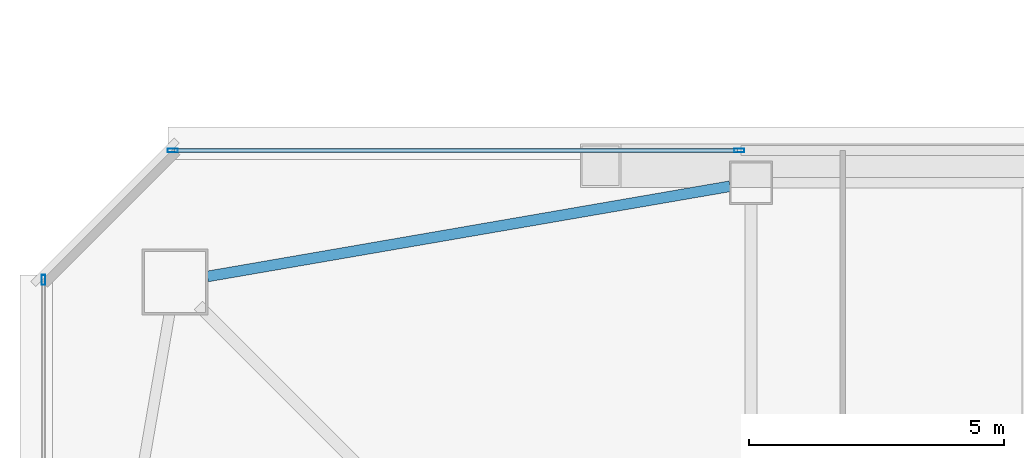
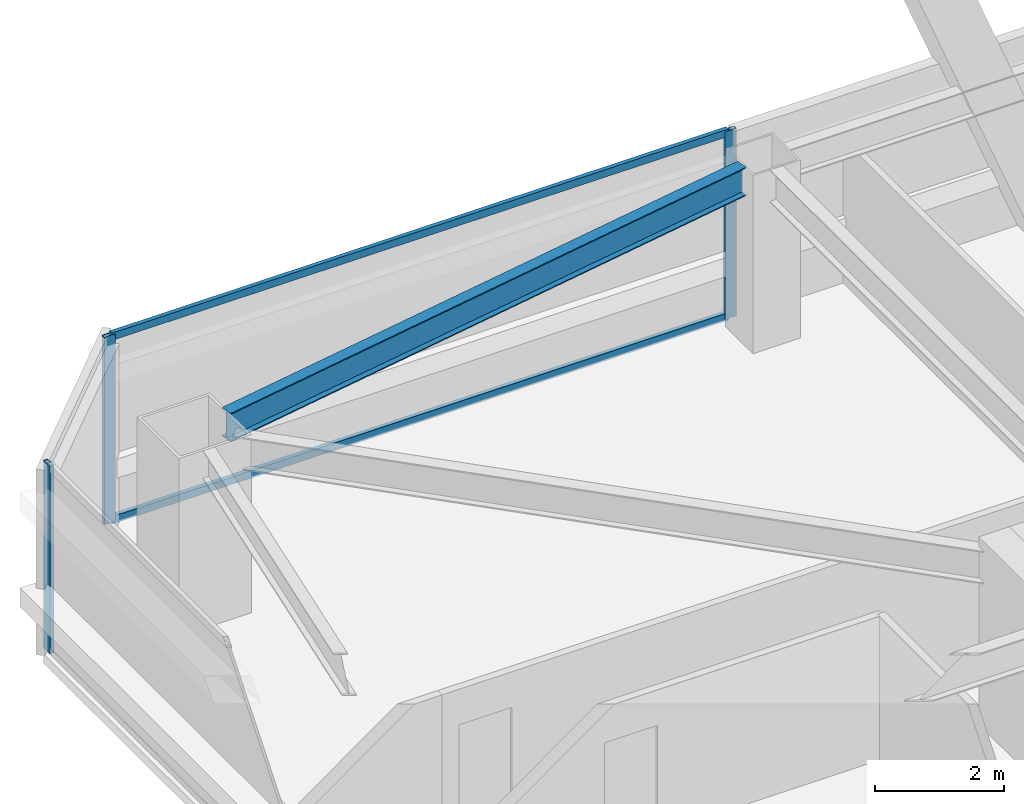
# One storey, part 15 of 50: 5 members, 1 beam, 2 elements without a shape of their own.
"""IFC4 building model written with IfcOpenShell, lengths in metres."""

from ifc_helpers import new_model, si_unit, direction, frame, origin, origin_2d, place, context, subcontext, project, spatial, hollow_rectangle, i_section, extrude, material, material_profile, profile_set, type_object, element, aggregate, save


model = new_model("IFC4")

# Units and contexts
model_context = context("Model", 3, precision=1e-05, world=origin(), true_north=direction((0.0, 1.0)))
body_context = subcontext(model_context, "Body", "Model", "MODEL_VIEW")
ifc_project = project(units=[si_unit("LENGTHUNIT", "METRE"), si_unit("AREAUNIT", "SQUARE_METRE"), si_unit("VOLUMEUNIT", "CUBIC_METRE"), si_unit("PLANEANGLEUNIT", "RADIAN"), si_unit("MASSUNIT", "GRAM", prefix="KILO")], contexts=[model_context])

# Site, building, storey
site_placement = place(None, origin())
site = spatial("IfcSite", under=ifc_project, at=site_placement, CompositionType="ELEMENT")
building_placement = place(site_placement, origin())
building = spatial("IfcBuilding", under=site, at=building_placement, Name="Tashvorn Skyway Center", CompositionType="ELEMENT")
storey_placement = place(building_placement, frame((0.0, 0.0, 114.39990234375)))
storey = spatial("IfcBuildingStorey", under=building, at=storey_placement, Name="L30", CompositionType="ELEMENT", Elevation=114.39990234375)

# Beam
ifc_material_1 = material(Name="Steel ASTM A992 Grade 50", Category="steel")
ifc_material_profile_1 = material_profile(ifc_material_1, i_section(OverallWidth=0.2109375, OverallDepth=0.5390625, WebThickness=0.01171875, FlangeThickness=0.018798828125, at=origin_2d()), Name="W21X73")
ifc_profile_set_1 = profile_set([ifc_material_profile_1], Name="Steel ASTM A992 Grade 50")
beam_type = type_object("IfcBeamType", Name="BM-SPANDREL-W21X73", PredefinedType="SPANDREL", material=ifc_profile_set_1)
beam_placement = place(storey_placement, frame((36.18603515625, 50.57861328125, 3.1005859375), z_axis=(-0.985432458462, -0.170067250846, 0.0), x_axis=(0.170067250846, -0.985432458462, 0.0)))
element("IfcBeam", 1, at=beam_placement, inside=storey, type_object=beam_type, Name="Tower 1 L30 Spandrel Beam 09", PredefinedType="SPANDREL", context=body_context, shape_type="SweptSolid", body=[
    extrude(i_section(OverallWidth=0.2109375, OverallDepth=0.5390625, WebThickness=0.01171875, FlangeThickness=0.018798828125, at=origin_2d()), origin(), (0.0, 0.0, 1.0), 10.402099609375),
])

# Curtain wall, member
ifc_material_2 = material(Name="Thermally broken bronze-anodized aluminium 6063-T6", Category="aluminium")
curtain_wall_type = type_object("IfcCurtainWallType", Name="CW-CW-Z3", PredefinedType="NOTDEFINED", material=ifc_material_2)
curtain_wall_1_placement = place(storey_placement, origin())
curtain_wall_1 = element("IfcCurtainWall", 2, at=curtain_wall_1_placement, inside=storey, type_object=curtain_wall_type, Name="Tower 1 L30 West Unitised Curtain Wall Glazing Group 2", PredefinedType="NOTDEFINED")
ifc_material_profile_2 = material_profile(ifc_material_2, hollow_rectangle(XDim=0.074951171875, YDim=0.199951171875, WallThickness=0.00439453125, at=origin_2d()), Name="ALU-MULL-75x200")
ifc_profile_set_2 = profile_set([ifc_material_profile_2], Name="Thermally broken bronze-anodized aluminium 6063-T6")
member_type_1 = type_object("IfcMemberType", Name="CWM-CW-Z3", PredefinedType="MULLION", material=ifc_profile_set_2)
member_1_placement = place(storey_placement, frame((22.719970703125, 48.742431640625, 0.0), z_axis=(0.0, 0.0, 1.0), x_axis=(-1.0, 0.0, 0.0)))
member_1 = element("IfcMember", 3, at=member_1_placement, type_object=member_type_1, Name="CW-Z3 mullion 2", PredefinedType="MULLION", context=body_context, shape_type="SweptSolid", body=[
    extrude(hollow_rectangle(XDim=0.074951171875, YDim=0.199951171875, WallThickness=0.00439453125, at=origin_2d()), origin(), (0.0, 0.0, 1.0), 3.550048828125),
])
aggregate(curtain_wall_1, [member_1])

# Curtain wall, members
curtain_wall_2_placement = place(storey_placement, origin())
curtain_wall_2 = element("IfcCurtainWall", 4, at=curtain_wall_2_placement, inside=storey, type_object=curtain_wall_type, Name="Tower 1 L30 North Unitised Curtain Wall Glazing Group 1", PredefinedType="NOTDEFINED")
member_2_placement = place(storey_placement, frame((25.257568359375, 51.280029296875, 0.0), z_axis=(0.0, 0.0, 1.0), x_axis=(0.0, 1.0, 0.0)))
member_2 = element("IfcMember", 5, at=member_2_placement, type_object=member_type_1, Name="CW-Z3 mullion 1", PredefinedType="MULLION", context=body_context, shape_type="SweptSolid", body=[
    extrude(hollow_rectangle(XDim=0.074951171875, YDim=0.199951171875, WallThickness=0.00439453125, at=origin_2d()), origin(), (0.0, 0.0, 1.0), 3.550048828125),
])
member_3_placement = place(storey_placement, frame((36.369140625, 51.280029296875, 0.0), z_axis=(0.0, 0.0, 1.0), x_axis=(0.0, 1.0, 0.0)))
member_3 = element("IfcMember", 6, at=member_3_placement, type_object=member_type_1, Name="CW-Z3 mullion 2", PredefinedType="MULLION", context=body_context, shape_type="SweptSolid", body=[
    extrude(hollow_rectangle(XDim=0.074951171875, YDim=0.199951171875, WallThickness=0.00439453125, at=origin_2d()), origin(), (0.0, 0.0, 1.0), 3.550048828125),
])
ifc_material_profile_3 = material_profile(ifc_material_2, hollow_rectangle(XDim=0.074951171875, YDim=0.139892578125, WallThickness=0.004150390625, at=origin_2d()), Name="ALU-TRAN-75x140")
ifc_profile_set_3 = profile_set([ifc_material_profile_3], Name="Thermally broken bronze-anodized aluminium 6063-T6")
member_type_2 = type_object("IfcMemberType", Name="CWT-CW-Z3", PredefinedType="USERDEFINED", material=ifc_profile_set_3)
member_4_placement = place(storey_placement, frame((25.294921875, 51.280029296875, 0.03759765625), z_axis=(1.0, 0.0, 0.0), x_axis=(0.0, 1.0, 0.0)))
member_4 = element("IfcMember", 7, at=member_4_placement, type_object=member_type_2, Name="CW-Z3 transom 1.1", ObjectType="TRANSOM", PredefinedType="USERDEFINED", context=body_context, shape_type="SweptSolid", body=[
    extrude(hollow_rectangle(XDim=0.074951171875, YDim=0.139892578125, WallThickness=0.004150390625, at=origin_2d()), origin(), (0.0, 0.0, 1.0), 11.036865234375),
])
member_5_placement = place(storey_placement, frame((25.294921875, 51.280029296875, 3.5126953125), z_axis=(1.0, 0.0, 0.0), x_axis=(0.0, 1.0, 0.0)))
member_5 = element("IfcMember", 8, at=member_5_placement, type_object=member_type_2, Name="CW-Z3 transom 1.2", ObjectType="TRANSOM", PredefinedType="USERDEFINED", context=body_context, shape_type="SweptSolid", body=[
    extrude(hollow_rectangle(XDim=0.074951171875, YDim=0.139892578125, WallThickness=0.004150390625, at=origin_2d()), origin(), (0.0, 0.0, 1.0), 11.036865234375),
])
aggregate(curtain_wall_2, [member_2, member_3, member_4, member_5])

save(model, "model.ifc")
